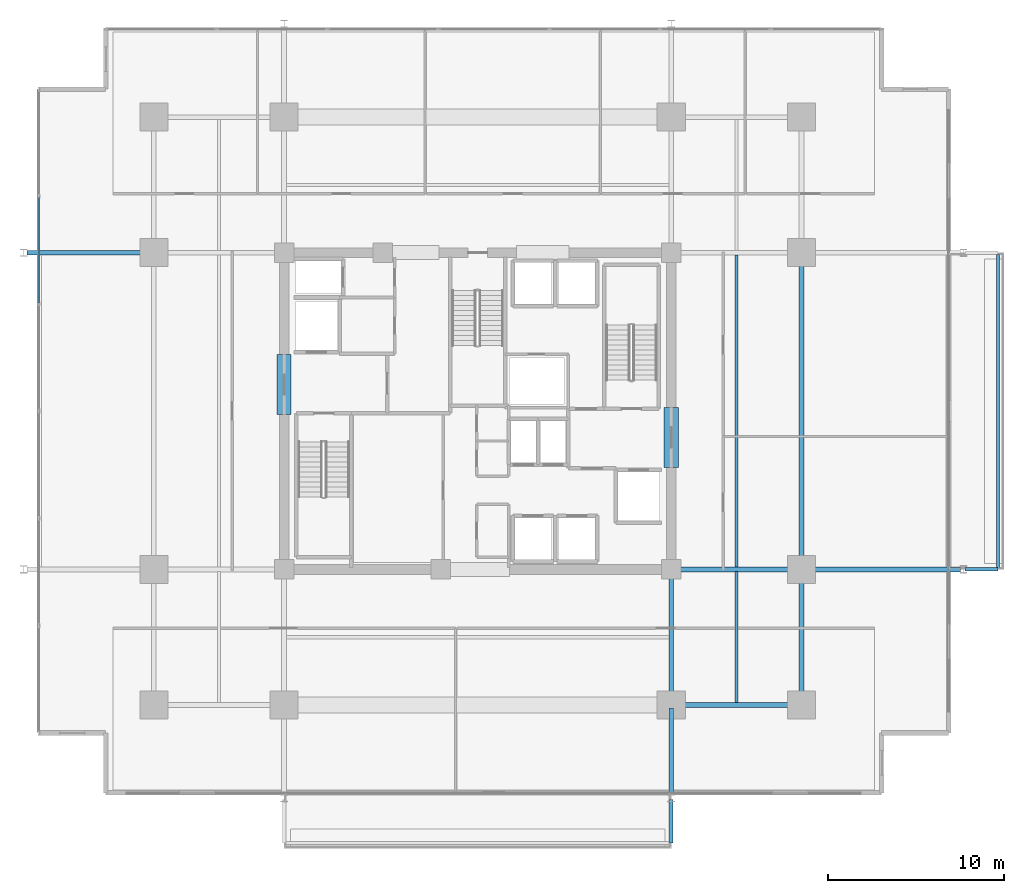
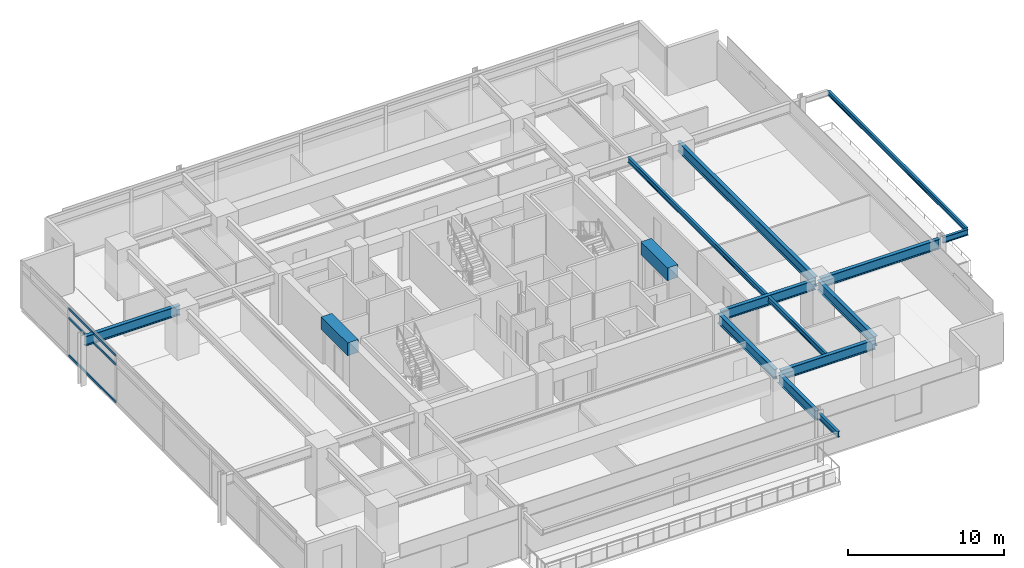
# One storey, part 5 of 21: 15 beams, 3 members, 1 element without a shape of its own.
"""IFC4 building model written with IfcOpenShell, lengths in metres."""

from ifc_helpers import new_model, si_unit, direction, frame, origin, origin_2d, place, context, subcontext, project, spatial, rectangle, hollow_rectangle, i_section, extrude, material, material_profile, profile_set, type_object, element, aggregate, save


model = new_model("IFC4")

# Units and contexts
model_context = context("Model", 3, precision=1e-05, world=origin(), true_north=direction((0.0, 1.0)))
body_context = subcontext(model_context, "Body", "Model", "MODEL_VIEW")
ifc_project = project(units=[si_unit("LENGTHUNIT", "METRE"), si_unit("AREAUNIT", "SQUARE_METRE"), si_unit("VOLUMEUNIT", "CUBIC_METRE"), si_unit("PLANEANGLEUNIT", "RADIAN"), si_unit("MASSUNIT", "GRAM", prefix="KILO")], contexts=[model_context])

# Site, building, storey
site_placement = place(None, origin())
site = spatial("IfcSite", under=ifc_project, at=site_placement, CompositionType="ELEMENT")
building_placement = place(site_placement, origin())
building = spatial("IfcBuilding", under=site, at=building_placement, Name="Kovane Verandah Tower", CompositionType="ELEMENT")
storey_placement = place(building_placement, frame((0.0, 0.0, 176.39990234375)))
storey = spatial("IfcBuildingStorey", under=building, at=storey_placement, Name="L41", CompositionType="ELEMENT", Elevation=176.39990234375)

# Beams
ifc_material_1 = material(Name="Concrete C60/75", Category="concrete")
ifc_material_profile_1 = material_profile(ifc_material_1, rectangle(XDim=0.800048828125, YDim=1.0, at=origin_2d()), Name="RCB800x1000")
ifc_profile_set_1 = profile_set([ifc_material_profile_1], Name="Concrete C60/75")
beam_type_1 = type_object("IfcBeamType", Name="BM-LINTEL-800x1000", PredefinedType="LINTEL", material=ifc_profile_set_1)
for number, where, z_axis, x_axis, name in (
    (1, (29.0, 27.300048828125, 3.275146484375), (0.0, 1.0, 0.0), (-1.0, 0.0, 0.0), "L41 Core Coupling Lintel CL-W"),
    (2, (51.0, 24.300048828125, 3.275146484375), (0.0, 1.0, 0.0), (-1.0, 0.0, 0.0), "L41 Core Coupling Lintel CL-E"),
):
    element("IfcBeam", number, at=place(storey_placement, frame(where, z_axis=z_axis, x_axis=x_axis)), inside=storey, type_object=beam_type_1, Name=name, PredefinedType="LINTEL", context=body_context, shape_type="SweptSolid", body=[
        extrude(rectangle(XDim=0.800048828125, YDim=1.0, at=origin_2d()), origin(), (0.0, 0.0, 1.0), 3.39990234375),
    ])
ifc_material_2 = material(Name="Steel S355", Category="steel")
ifc_material_profile_2 = material_profile(ifc_material_2, i_section(OverallWidth=0.26806640625, OverallDepth=0.769775390625, WebThickness=0.015625, FlangeThickness=0.025390625, FilletRadius=0.0166015625, at=origin_2d()), Name="UB762x267x197")
ifc_profile_set_2 = profile_set([ifc_material_profile_2], Name="Steel S355")
beam_type_2 = type_object("IfcBeamType", Name="BM-UB762x197", PredefinedType="BEAM", material=ifc_profile_set_2)
beam_1_placement = place(storey_placement, frame((51.179931640625, 10.800048828125, 3.39013671875), z_axis=(1.0, 0.0, 0.0), x_axis=(0.0, 1.0, 0.0)))
element("IfcBeam", 3, at=beam_1_placement, inside=storey, type_object=beam_type_2, Name="L41 Primary Tower Girder G-RS3", PredefinedType="BEAM", context=body_context, shape_type="SweptSolid", body=[
    extrude(i_section(OverallWidth=0.26806640625, OverallDepth=0.769775390625, WebThickness=0.015625, FlangeThickness=0.025390625, FilletRadius=0.0166015625, at=origin_2d()), origin(), (0.0, 0.0, 1.0), 7.0400390625),
])
beam_2_placement = place(storey_placement, frame((58.39990234375, 10.97998046875, 3.39013671875), z_axis=(0.0, 1.0, 0.0), x_axis=(-1.0, 0.0, 0.0)))
element("IfcBeam", 4, at=beam_2_placement, inside=storey, type_object=beam_type_2, Name="L41 Primary Tower Girder G-RE1", PredefinedType="BEAM", context=body_context, shape_type="SweptSolid", body=[
    extrude(i_section(OverallWidth=0.26806640625, OverallDepth=0.769775390625, WebThickness=0.015625, FlangeThickness=0.025390625, FilletRadius=0.0166015625, at=origin_2d()), origin(), (0.0, 0.0, 1.0), 7.340087890625),
])
beam_3_placement = place(storey_placement, frame((58.39990234375, 18.679931640625, 3.39013671875), z_axis=(0.0, 1.0, 0.0), x_axis=(-1.0, 0.0, 0.0)))
element("IfcBeam", 5, at=beam_3_placement, inside=storey, type_object=beam_type_2, Name="L41 Primary Tower Girder G-RE2", PredefinedType="BEAM", context=body_context, shape_type="SweptSolid", body=[
    extrude(i_section(OverallWidth=0.26806640625, OverallDepth=0.769775390625, WebThickness=0.015625, FlangeThickness=0.025390625, FilletRadius=0.0166015625, at=origin_2d()), origin(), (0.0, 0.0, 1.0), 17.64013671875),
])
beam_4_placement = place(storey_placement, frame((51.179931640625, 18.5, 3.39013671875), z_axis=(1.0, 0.0, 0.0), x_axis=(0.0, 1.0, 0.0)))
element("IfcBeam", 6, at=beam_4_placement, inside=storey, type_object=beam_type_2, Name="L41 Primary Tower Girder G-E1", PredefinedType="BEAM", context=body_context, shape_type="SweptSolid", body=[
    extrude(i_section(OverallWidth=0.26806640625, OverallDepth=0.769775390625, WebThickness=0.015625, FlangeThickness=0.025390625, FilletRadius=0.0166015625, at=origin_2d()), origin(), (0.0, 0.0, 1.0), 7.0400390625),
])
beam_5_placement = place(storey_placement, frame((51.0, 18.320068359375, 3.39013671875), z_axis=(0.0, -1.0, 0.0), x_axis=(1.0, 0.0, 0.0)))
element("IfcBeam", 7, at=beam_5_placement, inside=storey, type_object=beam_type_2, Name="L41 Primary Tower Girder G-S2", PredefinedType="BEAM", context=body_context, shape_type="SweptSolid", body=[
    extrude(i_section(OverallWidth=0.26806640625, OverallDepth=0.769775390625, WebThickness=0.015625, FlangeThickness=0.025390625, FilletRadius=0.0166015625, at=origin_2d()), origin(), (0.0, 0.0, 1.0), 7.340087890625),
])
beam_6_placement = place(storey_placement, frame((21.419921875, 36.5, 3.375244140625), z_axis=(-1.0, 0.0, 0.0), x_axis=(0.0, -1.0, 0.0)))
element("IfcBeam", 8, at=beam_6_placement, inside=storey, type_object=beam_type_2, Name="L41 Primary Tower Girder G-VW2", PredefinedType="BEAM", context=body_context, shape_type="SweptSolid", body=[
    extrude(i_section(OverallWidth=0.26806640625, OverallDepth=0.769775390625, WebThickness=0.015625, FlangeThickness=0.025390625, FilletRadius=0.0166015625, at=origin_2d()), origin(), (0.0, 0.0, 1.0), 7.0400390625),
])
beam_7_placement = place(storey_placement, frame((58.580078125, 18.5, 3.375244140625), z_axis=(1.0, 0.0, 0.0), x_axis=(0.0, 1.0, 0.0)))
element("IfcBeam", 9, at=beam_7_placement, inside=storey, type_object=beam_type_2, Name="L41 Primary Tower Girder G-VE1", PredefinedType="BEAM", context=body_context, shape_type="SweptSolid", body=[
    extrude(i_section(OverallWidth=0.26806640625, OverallDepth=0.769775390625, WebThickness=0.015625, FlangeThickness=0.025390625, FilletRadius=0.0166015625, at=origin_2d()), origin(), (0.0, 0.0, 1.0), 8.83984375),
])
beam_8_placement = place(storey_placement, frame((51.0, 10.6201171875, 3.375244140625), z_axis=(0.0, -1.0, 0.0), x_axis=(1.0, 0.0, 0.0)))
element("IfcBeam", 10, at=beam_8_placement, inside=storey, type_object=beam_type_2, Name="L41 Primary Tower Girder G-VS2", PredefinedType="BEAM", context=body_context, shape_type="SweptSolid", body=[
    extrude(i_section(OverallWidth=0.26806640625, OverallDepth=0.769775390625, WebThickness=0.015625, FlangeThickness=0.025390625, FilletRadius=0.0166015625, at=origin_2d()), origin(), (0.0, 0.0, 1.0), 4.940185546875),
])

# Curtain wall, members
ifc_material_3 = material(Name="Champagne Anodised Aluminium Frame with Low-E Clear Laminated Glass", Category="aluminium")
curtain_wall_type = type_object("IfcCurtainWallType", Name="CW-SYS-03-MID", PredefinedType="NOTDEFINED", material=ifc_material_3)
curtain_wall_placement = place(storey_placement, origin())
curtain_wall = element("IfcCurtainWall", 11, at=curtain_wall_placement, inside=storey, type_object=curtain_wall_type, Name="L41 W Unitised Curtain Wall", PredefinedType="NOTDEFINED")
ifc_material_4 = material(Name="Champagne Anodised Aluminium 6063-T6", Category="aluminium")
ifc_material_profile_3 = material_profile(ifc_material_4, hollow_rectangle(XDim=0.0849609375, YDim=0.18994140625, WallThickness=0.00390625, at=origin_2d()), Name="AL85x190x4")
ifc_profile_set_3 = profile_set([ifc_material_profile_3], Name="Champagne Anodised Aluminium 6063-T6")
member_type = type_object("IfcMemberType", Name="CW-TRN-85x190", PredefinedType="USERDEFINED", material=ifc_profile_set_3)
member_1_placement = place(storey_placement, frame((15.064208984375, 39.646728515625, 0.050048828125), z_axis=(0.0, -1.0, 0.0), x_axis=(1.0, 0.0, 0.0)))
member_1 = element("IfcMember", 12, at=member_1_placement, type_object=member_type, Name="L41 W Unitised Curtain Wall Transom TB Bay 2", ObjectType="TRANSOM", PredefinedType="USERDEFINED", context=body_context, shape_type="SweptSolid", body=[
    extrude(hollow_rectangle(XDim=0.0849609375, YDim=0.18994140625, WallThickness=0.00390625, at=origin_2d()), origin(), (0.0, 0.0, 1.0), 5.99853515625),
])
member_2_placement = place(storey_placement, frame((15.064208984375, 39.646728515625, 2.9951171875), z_axis=(0.0, -1.0, 0.0), x_axis=(1.0, 0.0, 0.0)))
member_2 = element("IfcMember", 13, at=member_2_placement, type_object=member_type, Name="L41 W Unitised Curtain Wall Transom TM Bay 2", ObjectType="TRANSOM", PredefinedType="USERDEFINED", context=body_context, shape_type="SweptSolid", body=[
    extrude(hollow_rectangle(XDim=0.0849609375, YDim=0.18994140625, WallThickness=0.00390625, at=origin_2d()), origin(), (0.0, 0.0, 1.0), 5.99853515625),
])
member_3_placement = place(storey_placement, frame((15.064208984375, 39.646728515625, 3.72509765625), z_axis=(0.0, -1.0, 0.0), x_axis=(1.0, 0.0, 0.0)))
member_3 = element("IfcMember", 14, at=member_3_placement, type_object=member_type, Name="L41 W Unitised Curtain Wall Transom TT Bay 2", ObjectType="TRANSOM", PredefinedType="USERDEFINED", context=body_context, shape_type="SweptSolid", body=[
    extrude(hollow_rectangle(XDim=0.0849609375, YDim=0.18994140625, WallThickness=0.00390625, at=origin_2d()), origin(), (0.0, 0.0, 1.0), 5.99853515625),
])
aggregate(curtain_wall, [member_1, member_2, member_3])

# Beams
ifc_material_profile_4 = material_profile(ifc_material_2, i_section(OverallWidth=0.179443359375, OverallDepth=0.412841796875, WebThickness=0.009521484375, FlangeThickness=0.01611328125, FilletRadius=0.01025390625, at=origin_2d()), Name="UB406x178x74")
ifc_profile_set_4 = profile_set([ifc_material_profile_4], Name="Steel S355")
beam_type_3 = type_object("IfcBeamType", Name="JST-UB406x74", PredefinedType="JOIST", material=ifc_profile_set_4)
beam_9_placement = place(storey_placement, frame((54.699951171875, 18.632080078125, 3.568603515625), z_axis=(0.0, 1.0, 0.0), x_axis=(-1.0, 0.0, 0.0)))
element("IfcBeam", 15, at=beam_9_placement, inside=storey, type_object=beam_type_3, Name="L41 Secondary Composite Joist J-E1", PredefinedType="JOIST", context=body_context, shape_type="SweptSolid", body=[
    extrude(i_section(OverallWidth=0.179443359375, OverallDepth=0.412841796875, WebThickness=0.009521484375, FlangeThickness=0.01611328125, FilletRadius=0.01025390625, at=origin_2d()), origin(), (0.0, 0.0, 1.0), 17.73583984375),
])
beam_10_placement = place(storey_placement, frame((54.699951171875, 10.931884765625, 3.568603515625), z_axis=(0.0, 1.0, 0.0), x_axis=(-1.0, 0.0, 0.0)))
element("IfcBeam", 16, at=beam_10_placement, inside=storey, type_object=beam_type_3, Name="L41 Secondary Composite Joist J-SE1", PredefinedType="JOIST", context=body_context, shape_type="SweptSolid", body=[
    extrude(i_section(OverallWidth=0.179443359375, OverallDepth=0.412841796875, WebThickness=0.009521484375, FlangeThickness=0.01611328125, FilletRadius=0.01025390625, at=origin_2d()), origin(), (0.0, 0.0, 1.0), 7.43603515625),
])
ifc_material_profile_5 = material_profile(ifc_material_2, i_section(OverallWidth=0.19287109375, OverallDepth=0.46728515625, WebThickness=0.011474609375, FlangeThickness=0.01953125, FilletRadius=0.01025390625, at=origin_2d()), Name="UB457x191x98")
ifc_profile_set_5 = profile_set([ifc_material_profile_5], Name="Steel S355")
beam_type_4 = type_object("IfcBeamType", Name="JST-UB457x98", PredefinedType="JOIST", material=ifc_profile_set_5)
beam_11_placement = place(storey_placement, frame((51.0, 5.419921875, 3.526611328125), z_axis=(0.0, -1.0, 0.0), x_axis=(1.0, 0.0, 0.0)))
element("IfcBeam", 17, at=beam_11_placement, inside=storey, type_object=beam_type_4, Name="L41 South Planter Girder 2", PredefinedType="JOIST", context=body_context, shape_type="SweptSolid", body=[
    extrude(i_section(OverallWidth=0.19287109375, OverallDepth=0.46728515625, WebThickness=0.011474609375, FlangeThickness=0.01953125, FilletRadius=0.01025390625, at=origin_2d()), origin(), (0.0, 0.0, 1.0), 2.469970703125),
])
beam_12_placement = place(storey_placement, frame((67.679931640625, 18.5, 3.526611328125), z_axis=(1.0, 0.0, 0.0), x_axis=(0.0, 1.0, 0.0)))
element("IfcBeam", 18, at=beam_12_placement, inside=storey, type_object=beam_type_4, Name="L41 East Planter Girder 1", PredefinedType="JOIST", context=body_context, shape_type="SweptSolid", body=[
    extrude(i_section(OverallWidth=0.19287109375, OverallDepth=0.46728515625, WebThickness=0.011474609375, FlangeThickness=0.01953125, FilletRadius=0.01025390625, at=origin_2d()), origin(), (0.0, 0.0, 1.0), 1.89013671875),
])
ifc_material_profile_6 = material_profile(ifc_material_2, i_section(OverallWidth=0.173095703125, OverallDepth=0.36328125, WebThickness=0.009033203125, FlangeThickness=0.015625, FilletRadius=0.01025390625, at=origin_2d()), Name="UB356x171x67")
ifc_profile_set_6 = profile_set([ifc_material_profile_6], Name="Steel S355")
beam_type_5 = type_object("IfcBeamType", Name="SPD-UB356x67", PredefinedType="USERDEFINED", material=ifc_profile_set_6)
beam_13_placement = place(storey_placement, frame((69.570068359375, 18.594482421875, 3.578369140625), z_axis=(0.0, 1.0, 0.0), x_axis=(-1.0, 0.0, 0.0)))
element("IfcBeam", 19, at=beam_13_placement, inside=storey, type_object=beam_type_5, Name="L41 East Planter Edge Spandrel", ObjectType="SPANDREL", PredefinedType="USERDEFINED", context=body_context, shape_type="SweptSolid", body=[
    extrude(i_section(OverallWidth=0.173095703125, OverallDepth=0.36328125, WebThickness=0.009033203125, FlangeThickness=0.015625, FilletRadius=0.01025390625, at=origin_2d()), origin(), (0.0, 0.0, 1.0), 17.81103515625),
])

save(model, "model.ifc")
